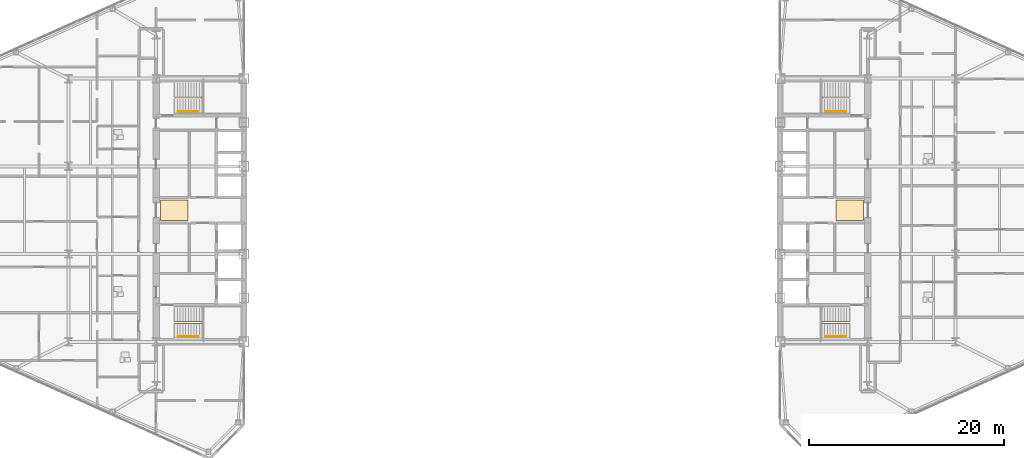
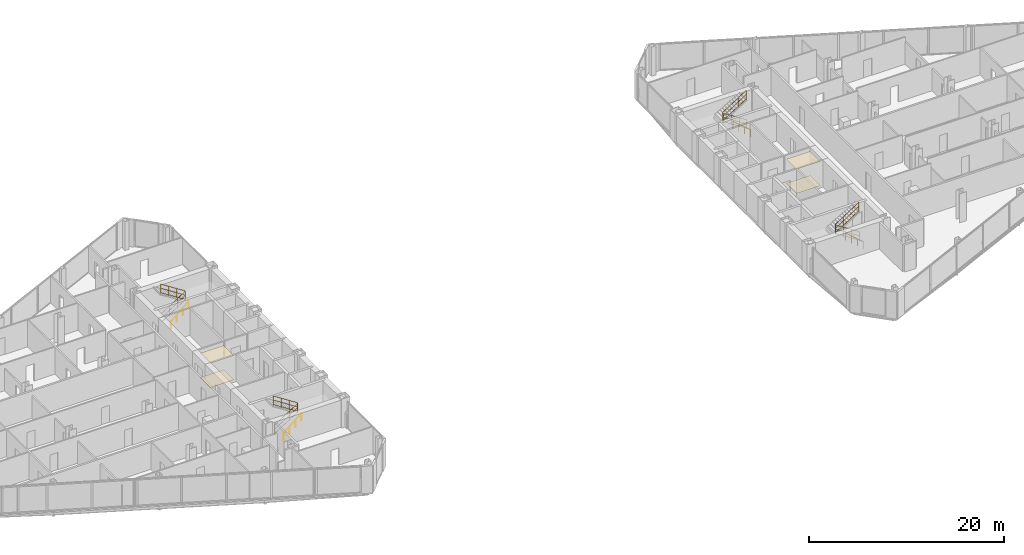
# One storey, part 26 of 27: 8 railings, 4 coverings.
"""IFC4 building model written with IfcOpenShell, lengths in metres."""

from ifc_helpers import new_model, si_unit, direction, frame, origin, origin_2d, place, context, subcontext, project, spatial, polyline, circle, outline, extrude, material, layer, layer_set, type_object, element, save


model = new_model("IFC4")

# Units and contexts
model_context = context("Model", 3, precision=1e-05, world=origin(), true_north=direction((0.0, 1.0)))
body_context = subcontext(model_context, "Body", "Model", "MODEL_VIEW")
ifc_project = project(units=[si_unit("LENGTHUNIT", "METRE"), si_unit("AREAUNIT", "SQUARE_METRE"), si_unit("VOLUMEUNIT", "CUBIC_METRE"), si_unit("PLANEANGLEUNIT", "RADIAN"), si_unit("MASSUNIT", "GRAM", prefix="KILO")], contexts=[model_context])

# Site, building, storey
site_placement = place(None, origin())
site = spatial("IfcSite", under=ifc_project, at=site_placement, CompositionType="ELEMENT")
building_placement = place(site_placement, origin())
building = spatial("IfcBuilding", under=site, at=building_placement, Name="Seokmaru Belvedere", CompositionType="ELEMENT")
storey_placement = place(building_placement, frame((0.0, 0.0, 106.800048828125)))
storey = spatial("IfcBuildingStorey", under=building, at=storey_placement, Name="L28", CompositionType="ELEMENT", Elevation=106.800048828125)

# Coverings
ifc_material_1 = material(Name="Engineered White Oak Timber", Category="wood")
ifc_layer_1 = layer(ifc_material_1, 0.02197265625)
ifc_layer_set_1 = layer_set([ifc_layer_1], Name="Engineered White Oak Timber")
covering_type_1 = type_object("IfcCoveringType", Name="Engineered Oak Residence Floor Finish 22", PredefinedType="FLOORING", material=ifc_layer_set_1)
covering_1_placement = place(storey_placement, origin())
element("IfcCovering", 1, at=covering_1_placement, inside=storey, type_object=covering_type_1, Name="L28 W Foyer Floor Finish", PredefinedType="FLOORING", context=body_context, shape_type="SweptSolid", body=[
    extrude(outline(polyline([(-36.050048828125, -1.050048828125), (-33.25, -1.050048828125), (-33.25, 1.050048828125), (-36.050048828125, 1.050048828125), (-36.050048828125, -1.050048828125)])), origin(), (0.0, 0.0, 1.0), 0.02197265625),
])
covering_2_placement = place(storey_placement, origin())
element("IfcCovering", 2, at=covering_2_placement, inside=storey, type_object=covering_type_1, Name="L28 E Foyer Floor Finish", PredefinedType="FLOORING", context=body_context, shape_type="SweptSolid", body=[
    extrude(outline(polyline([(33.25, -1.050048828125), (36.050048828125, -1.050048828125), (36.050048828125, 1.050048828125), (33.25, 1.050048828125), (33.25, -1.050048828125)])), origin(), (0.0, 0.0, 1.0), 0.02197265625),
])
ifc_material_2 = material(Name="Fire-Rated Gypsum Shaftwall")
ifc_layer_2 = layer(ifc_material_2, 0.02490234375)
ifc_layer_set_2 = layer_set([ifc_layer_2], Name="Fire-Rated Gypsum Shaftwall")
covering_type_2 = type_object("IfcCoveringType", Name="Perforated Acoustic Gypsum Suspended Ceiling 25", PredefinedType="CEILING", material=ifc_layer_set_2)
covering_3_placement = place(storey_placement, frame((0.0, 0.0, 3.030029296875)))
element("IfcCovering", 3, at=covering_3_placement, inside=storey, type_object=covering_type_2, Name="L28 W Lift Foyer Acoustic Ceiling", PredefinedType="CEILING", context=body_context, shape_type="SweptSolid", body=[
    extrude(outline(polyline([(-36.050048828125, -1.050048828125), (-33.25, -1.050048828125), (-33.25, 1.050048828125), (-36.050048828125, 1.050048828125), (-36.050048828125, -1.050048828125)])), origin(), (0.0, 0.0, 1.0), 0.02490234375),
])
covering_4_placement = place(storey_placement, frame((0.0, 0.0, 3.030029296875)))
element("IfcCovering", 4, at=covering_4_placement, inside=storey, type_object=covering_type_2, Name="L28 E Lift Foyer Acoustic Ceiling", PredefinedType="CEILING", context=body_context, shape_type="SweptSolid", body=[
    extrude(outline(polyline([(33.25, -1.050048828125), (36.050048828125, -1.050048828125), (36.050048828125, 1.050048828125), (33.25, 1.050048828125), (33.25, -1.050048828125)])), origin(), (0.0, 0.0, 1.0), 0.02490234375),
])

# Railings
ifc_material_3 = material(Name="Stainless Steel 316", Category="steel")
railing_type_1 = type_object("IfcRailingType", Name="Stainless Steel Wall and Flight Handrail 900", PredefinedType="HANDRAIL", material=ifc_material_3)
for number, where, name in (
    (5, (-34.25, -12.949951171875, 0.0), "L28 Stair ST-W1 Wall Handrail"),
    (6, (-34.25, 10.110107421875, 0.0), "L28 Stair ST-W2 Wall Handrail"),
):
    element("IfcRailing", number, at=place(storey_placement, frame(where)), inside=storey, type_object=railing_type_1, Name=name, PredefinedType="HANDRAIL", context=body_context, shape_type="SweptSolid", body=[
        extrude(circle(Radius=0.02392578125, at=origin_2d()), frame((0.0, 0.0, 0.8759765625), z_axis=(0.759262832861, 0.0, 0.650784104474), x_axis=(0.0, 1.0, 0.0)), (0.0, 0.0, 1.0), 2.765869140625),
        extrude(circle(Radius=0.02099609375, at=origin_2d()), origin(), (0.0, 0.0, 1.0), 0.851806640625),
        extrude(circle(Radius=0.02099609375, at=origin_2d()), frame((0.699951171875, 0.0, 0.60009765625)), (0.0, 0.0, 1.0), 0.851806640625),
        extrude(circle(Radius=0.02099609375, at=origin_2d()), frame((1.400146484375, 0.0, 1.199951171875)), (0.0, 0.0, 1.0), 0.851806640625),
        extrude(circle(Radius=0.02099609375, at=origin_2d()), frame((2.10009765625, 0.0, 1.800048828125)), (0.0, 0.0, 1.0), 0.851806640625),
    ])
for number, where, name in (
    (7, (34.25, -12.949951171875, 0.0), "L28 Stair ST-E1 Wall Handrail"),
    (8, (34.25, 10.110107421875, 0.0), "L28 Stair ST-E2 Wall Handrail"),
):
    element("IfcRailing", number, at=place(storey_placement, frame(where)), inside=storey, type_object=railing_type_1, Name=name, PredefinedType="HANDRAIL", context=body_context, shape_type="SweptSolid", body=[
        extrude(circle(Radius=0.02392578125, at=origin_2d()), frame((0.0, 0.0, 0.8759765625), z_axis=(-0.759262832861, 0.0, 0.650784104474), x_axis=(0.0, -1.0, 0.0)), (0.0, 0.0, 1.0), 2.765869140625),
        extrude(circle(Radius=0.02099609375, at=origin_2d()), origin(), (0.0, 0.0, 1.0), 0.851806640625),
        extrude(circle(Radius=0.02099609375, at=origin_2d()), frame((-0.699951171875, 0.0, 0.60009765625)), (0.0, 0.0, 1.0), 0.851806640625),
        extrude(circle(Radius=0.02099609375, at=origin_2d()), frame((-1.400146484375, 0.0, 1.199951171875)), (0.0, 0.0, 1.0), 0.851806640625),
        extrude(circle(Radius=0.02099609375, at=origin_2d()), frame((-2.10009765625, 0.0, 1.800048828125)), (0.0, 0.0, 1.0), 0.851806640625),
    ])
railing_type_2 = type_object("IfcRailingType", Name="Stair Well and Atrium Steel Guardrail 1200", PredefinedType="GUARDRAIL", material=ifc_material_3)
railing_1_placement = place(storey_placement, frame((-34.60009765625, -11.60009765625, 0.0)))
element("IfcRailing", 9, at=railing_1_placement, inside=storey, type_object=railing_type_2, Name="L28 Stair ST-W1 Inner Well Guardrail", PredefinedType="GUARDRAIL", context=body_context, shape_type="SweptSolid", body=[
    extrude(circle(Radius=0.02392578125, at=origin_2d()), frame((0.0, 0.0, 1.17578125), z_axis=(0.841176092368, 0.0, 0.540761298198), x_axis=(0.0, 1.0, 0.0)), (0.0, 0.0, 1.0), 3.32861328125),
    extrude(circle(Radius=0.02392578125, at=origin_2d()), frame((0.0, 0.0, 0.1201171875), z_axis=(0.841176092368, 0.0, 0.540761298198), x_axis=(0.0, 1.0, 0.0)), (0.0, 0.0, 1.0), 3.32861328125),
    extrude(circle(Radius=0.02392578125, at=origin_2d()), frame((0.0, 0.0, 0.659912109375), z_axis=(0.841176092368, 0.0, 0.540761298198), x_axis=(0.0, 1.0, 0.0)), (0.0, 0.0, 1.0), 3.32861328125),
    extrude(circle(Radius=0.02392578125, at=origin_2d()), frame((2.800048828125, 0.0, 2.97607421875), z_axis=(0.0, 1.0, 0.0), x_axis=(-1.0, 0.0, 0.0)), (0.0, 0.0, 1.0), 0.14013671875),
    extrude(circle(Radius=0.02392578125, at=origin_2d()), frame((2.800048828125, 0.0, 1.920166015625), z_axis=(0.0, 1.0, 0.0), x_axis=(-1.0, 0.0, 0.0)), (0.0, 0.0, 1.0), 0.14013671875),
    extrude(circle(Radius=0.02392578125, at=origin_2d()), frame((2.800048828125, 0.0, 2.4599609375), z_axis=(0.0, 1.0, 0.0), x_axis=(-1.0, 0.0, 0.0)), (0.0, 0.0, 1.0), 0.14013671875),
    extrude(circle(Radius=0.02392578125, at=origin_2d()), frame((2.800048828125, 0.14013671875, 2.97607421875), z_axis=(-0.841209454229, 0.0, 0.540709398952), x_axis=(0.0, -1.0, 0.0)), (0.0, 0.0, 1.0), 3.32861328125),
    extrude(circle(Radius=0.02392578125, at=origin_2d()), frame((2.800048828125, 0.14013671875, 1.920166015625), z_axis=(-0.841209454229, 0.0, 0.540709398952), x_axis=(0.0, -1.0, 0.0)), (0.0, 0.0, 1.0), 3.32861328125),
    extrude(circle(Radius=0.02392578125, at=origin_2d()), frame((2.800048828125, 0.14013671875, 2.4599609375), z_axis=(-0.841209454229, 0.0, 0.540709398952), x_axis=(0.0, -1.0, 0.0)), (0.0, 0.0, 1.0), 3.32861328125),
    extrude(circle(Radius=0.02099609375, at=origin_2d()), origin(), (0.0, 0.0, 1.0), 1.15185546875),
    extrude(circle(Radius=0.02099609375, at=origin_2d()), frame((0.933349609375, 0.0, 0.60009765625)), (0.0, 0.0, 1.0), 1.15185546875),
    extrude(circle(Radius=0.02099609375, at=origin_2d()), frame((1.86669921875, 0.0, 1.199951171875)), (0.0, 0.0, 1.0), 1.15185546875),
    extrude(circle(Radius=0.02099609375, at=origin_2d()), frame((2.800048828125, 0.0, 1.800048828125)), (0.0, 0.0, 1.0), 1.15185546875),
    extrude(circle(Radius=0.02099609375, at=origin_2d()), frame((2.800048828125, 0.14013671875, 1.800048828125)), (0.0, 0.0, 1.0), 1.15185546875),
    extrude(circle(Radius=0.02099609375, at=origin_2d()), frame((1.86669921875, 0.14013671875, 2.39990234375)), (0.0, 0.0, 1.0), 1.15185546875),
    extrude(circle(Radius=0.02099609375, at=origin_2d()), frame((0.933349609375, 0.14013671875, 3.0)), (0.0, 0.0, 1.0), 1.15185546875),
    extrude(circle(Radius=0.02099609375, at=origin_2d()), frame((0.0, 0.14013671875, 3.599853515625)), (0.0, 0.0, 1.0), 1.15185546875),
])
railing_2_placement = place(storey_placement, frame((-34.60009765625, 11.4599609375, 0.0)))
element("IfcRailing", 10, at=railing_2_placement, inside=storey, type_object=railing_type_2, Name="L28 Stair ST-W2 Inner Well Guardrail", PredefinedType="GUARDRAIL", context=body_context, shape_type="SweptSolid", body=[
    extrude(circle(Radius=0.02392578125, at=origin_2d()), frame((0.0, 0.0, 1.17578125), z_axis=(0.841176092368, 0.0, 0.540761298198), x_axis=(0.0, 1.0, 0.0)), (0.0, 0.0, 1.0), 3.32861328125),
    extrude(circle(Radius=0.02392578125, at=origin_2d()), frame((0.0, 0.0, 0.1201171875), z_axis=(0.841176092368, 0.0, 0.540761298198), x_axis=(0.0, 1.0, 0.0)), (0.0, 0.0, 1.0), 3.32861328125),
    extrude(circle(Radius=0.02392578125, at=origin_2d()), frame((0.0, 0.0, 0.659912109375), z_axis=(0.841176092368, 0.0, 0.540761298198), x_axis=(0.0, 1.0, 0.0)), (0.0, 0.0, 1.0), 3.32861328125),
    extrude(circle(Radius=0.02392578125, at=origin_2d()), frame((2.800048828125, 0.0, 2.97607421875), z_axis=(0.0, 1.0, 0.0), x_axis=(-1.0, 0.0, 0.0)), (0.0, 0.0, 1.0), 0.14013671875),
    extrude(circle(Radius=0.02392578125, at=origin_2d()), frame((2.800048828125, 0.0, 1.920166015625), z_axis=(0.0, 1.0, 0.0), x_axis=(-1.0, 0.0, 0.0)), (0.0, 0.0, 1.0), 0.14013671875),
    extrude(circle(Radius=0.02392578125, at=origin_2d()), frame((2.800048828125, 0.0, 2.4599609375), z_axis=(0.0, 1.0, 0.0), x_axis=(-1.0, 0.0, 0.0)), (0.0, 0.0, 1.0), 0.14013671875),
    extrude(circle(Radius=0.02392578125, at=origin_2d()), frame((2.800048828125, 0.14013671875, 2.97607421875), z_axis=(-0.841209454229, 0.0, 0.540709398952), x_axis=(0.0, -1.0, 0.0)), (0.0, 0.0, 1.0), 3.32861328125),
    extrude(circle(Radius=0.02392578125, at=origin_2d()), frame((2.800048828125, 0.14013671875, 1.920166015625), z_axis=(-0.841209454229, 0.0, 0.540709398952), x_axis=(0.0, -1.0, 0.0)), (0.0, 0.0, 1.0), 3.32861328125),
    extrude(circle(Radius=0.02392578125, at=origin_2d()), frame((2.800048828125, 0.14013671875, 2.4599609375), z_axis=(-0.841209454229, 0.0, 0.540709398952), x_axis=(0.0, -1.0, 0.0)), (0.0, 0.0, 1.0), 3.32861328125),
    extrude(circle(Radius=0.02099609375, at=origin_2d()), origin(), (0.0, 0.0, 1.0), 1.15185546875),
    extrude(circle(Radius=0.02099609375, at=origin_2d()), frame((0.933349609375, 0.0, 0.60009765625)), (0.0, 0.0, 1.0), 1.15185546875),
    extrude(circle(Radius=0.02099609375, at=origin_2d()), frame((1.86669921875, 0.0, 1.199951171875)), (0.0, 0.0, 1.0), 1.15185546875),
    extrude(circle(Radius=0.02099609375, at=origin_2d()), frame((2.800048828125, 0.0, 1.800048828125)), (0.0, 0.0, 1.0), 1.15185546875),
    extrude(circle(Radius=0.02099609375, at=origin_2d()), frame((2.800048828125, 0.14013671875, 1.800048828125)), (0.0, 0.0, 1.0), 1.15185546875),
    extrude(circle(Radius=0.02099609375, at=origin_2d()), frame((1.86669921875, 0.14013671875, 2.39990234375)), (0.0, 0.0, 1.0), 1.15185546875),
    extrude(circle(Radius=0.02099609375, at=origin_2d()), frame((0.933349609375, 0.14013671875, 3.0)), (0.0, 0.0, 1.0), 1.15185546875),
    extrude(circle(Radius=0.02099609375, at=origin_2d()), frame((0.0, 0.14013671875, 3.599853515625)), (0.0, 0.0, 1.0), 1.15185546875),
])
railing_3_placement = place(storey_placement, frame((34.60009765625, -11.60009765625, 0.0)))
element("IfcRailing", 11, at=railing_3_placement, inside=storey, type_object=railing_type_2, Name="L28 Stair ST-E1 Inner Well Guardrail", PredefinedType="GUARDRAIL", context=body_context, shape_type="SweptSolid", body=[
    extrude(circle(Radius=0.02392578125, at=origin_2d()), frame((0.0, 0.0, 1.17578125), z_axis=(-0.841176092368, 0.0, 0.540761298198), x_axis=(0.0, -1.0, 0.0)), (0.0, 0.0, 1.0), 3.32861328125),
    extrude(circle(Radius=0.02392578125, at=origin_2d()), frame((0.0, 0.0, 0.1201171875), z_axis=(-0.841176092368, 0.0, 0.540761298198), x_axis=(0.0, -1.0, 0.0)), (0.0, 0.0, 1.0), 3.32861328125),
    extrude(circle(Radius=0.02392578125, at=origin_2d()), frame((0.0, 0.0, 0.659912109375), z_axis=(-0.841176092368, 0.0, 0.540761298198), x_axis=(0.0, -1.0, 0.0)), (0.0, 0.0, 1.0), 3.32861328125),
    extrude(circle(Radius=0.02392578125, at=origin_2d()), frame((-2.800048828125, 0.0, 2.97607421875), z_axis=(0.0, 1.0, 0.0), x_axis=(-1.0, 0.0, 0.0)), (0.0, 0.0, 1.0), 0.14013671875),
    extrude(circle(Radius=0.02392578125, at=origin_2d()), frame((-2.800048828125, 0.0, 1.920166015625), z_axis=(0.0, 1.0, 0.0), x_axis=(-1.0, 0.0, 0.0)), (0.0, 0.0, 1.0), 0.14013671875),
    extrude(circle(Radius=0.02392578125, at=origin_2d()), frame((-2.800048828125, 0.0, 2.4599609375), z_axis=(0.0, 1.0, 0.0), x_axis=(-1.0, 0.0, 0.0)), (0.0, 0.0, 1.0), 0.14013671875),
    extrude(circle(Radius=0.02392578125, at=origin_2d()), frame((-2.800048828125, 0.14013671875, 2.97607421875), z_axis=(0.841209454229, 0.0, 0.540709398952), x_axis=(0.0, 1.0, 0.0)), (0.0, 0.0, 1.0), 3.32861328125),
    extrude(circle(Radius=0.02392578125, at=origin_2d()), frame((-2.800048828125, 0.14013671875, 1.920166015625), z_axis=(0.841209454229, 0.0, 0.540709398952), x_axis=(0.0, 1.0, 0.0)), (0.0, 0.0, 1.0), 3.32861328125),
    extrude(circle(Radius=0.02392578125, at=origin_2d()), frame((-2.800048828125, 0.14013671875, 2.4599609375), z_axis=(0.841209454229, 0.0, 0.540709398952), x_axis=(0.0, 1.0, 0.0)), (0.0, 0.0, 1.0), 3.32861328125),
    extrude(circle(Radius=0.02099609375, at=origin_2d()), origin(), (0.0, 0.0, 1.0), 1.15185546875),
    extrude(circle(Radius=0.02099609375, at=origin_2d()), frame((-0.933349609375, 0.0, 0.60009765625)), (0.0, 0.0, 1.0), 1.15185546875),
    extrude(circle(Radius=0.02099609375, at=origin_2d()), frame((-1.86669921875, 0.0, 1.199951171875)), (0.0, 0.0, 1.0), 1.15185546875),
    extrude(circle(Radius=0.02099609375, at=origin_2d()), frame((-2.800048828125, 0.0, 1.800048828125)), (0.0, 0.0, 1.0), 1.15185546875),
    extrude(circle(Radius=0.02099609375, at=origin_2d()), frame((-2.800048828125, 0.14013671875, 1.800048828125)), (0.0, 0.0, 1.0), 1.15185546875),
    extrude(circle(Radius=0.02099609375, at=origin_2d()), frame((-1.86669921875, 0.14013671875, 2.39990234375)), (0.0, 0.0, 1.0), 1.15185546875),
    extrude(circle(Radius=0.02099609375, at=origin_2d()), frame((-0.933349609375, 0.14013671875, 3.0)), (0.0, 0.0, 1.0), 1.15185546875),
    extrude(circle(Radius=0.02099609375, at=origin_2d()), frame((0.0, 0.14013671875, 3.599853515625)), (0.0, 0.0, 1.0), 1.15185546875),
])
railing_4_placement = place(storey_placement, frame((34.60009765625, 11.4599609375, 0.0)))
element("IfcRailing", 12, at=railing_4_placement, inside=storey, type_object=railing_type_2, Name="L28 Stair ST-E2 Inner Well Guardrail", PredefinedType="GUARDRAIL", context=body_context, shape_type="SweptSolid", body=[
    extrude(circle(Radius=0.02392578125, at=origin_2d()), frame((0.0, 0.0, 1.17578125), z_axis=(-0.841176092368, 0.0, 0.540761298198), x_axis=(0.0, -1.0, 0.0)), (0.0, 0.0, 1.0), 3.32861328125),
    extrude(circle(Radius=0.02392578125, at=origin_2d()), frame((0.0, 0.0, 0.1201171875), z_axis=(-0.841176092368, 0.0, 0.540761298198), x_axis=(0.0, -1.0, 0.0)), (0.0, 0.0, 1.0), 3.32861328125),
    extrude(circle(Radius=0.02392578125, at=origin_2d()), frame((0.0, 0.0, 0.659912109375), z_axis=(-0.841176092368, 0.0, 0.540761298198), x_axis=(0.0, -1.0, 0.0)), (0.0, 0.0, 1.0), 3.32861328125),
    extrude(circle(Radius=0.02392578125, at=origin_2d()), frame((-2.800048828125, 0.0, 2.97607421875), z_axis=(0.0, 1.0, 0.0), x_axis=(-1.0, 0.0, 0.0)), (0.0, 0.0, 1.0), 0.14013671875),
    extrude(circle(Radius=0.02392578125, at=origin_2d()), frame((-2.800048828125, 0.0, 1.920166015625), z_axis=(0.0, 1.0, 0.0), x_axis=(-1.0, 0.0, 0.0)), (0.0, 0.0, 1.0), 0.14013671875),
    extrude(circle(Radius=0.02392578125, at=origin_2d()), frame((-2.800048828125, 0.0, 2.4599609375), z_axis=(0.0, 1.0, 0.0), x_axis=(-1.0, 0.0, 0.0)), (0.0, 0.0, 1.0), 0.14013671875),
    extrude(circle(Radius=0.02392578125, at=origin_2d()), frame((-2.800048828125, 0.14013671875, 2.97607421875), z_axis=(0.841209454229, 0.0, 0.540709398952), x_axis=(0.0, 1.0, 0.0)), (0.0, 0.0, 1.0), 3.32861328125),
    extrude(circle(Radius=0.02392578125, at=origin_2d()), frame((-2.800048828125, 0.14013671875, 1.920166015625), z_axis=(0.841209454229, 0.0, 0.540709398952), x_axis=(0.0, 1.0, 0.0)), (0.0, 0.0, 1.0), 3.32861328125),
    extrude(circle(Radius=0.02392578125, at=origin_2d()), frame((-2.800048828125, 0.14013671875, 2.4599609375), z_axis=(0.841209454229, 0.0, 0.540709398952), x_axis=(0.0, 1.0, 0.0)), (0.0, 0.0, 1.0), 3.32861328125),
    extrude(circle(Radius=0.02099609375, at=origin_2d()), origin(), (0.0, 0.0, 1.0), 1.15185546875),
    extrude(circle(Radius=0.02099609375, at=origin_2d()), frame((-0.933349609375, 0.0, 0.60009765625)), (0.0, 0.0, 1.0), 1.15185546875),
    extrude(circle(Radius=0.02099609375, at=origin_2d()), frame((-1.86669921875, 0.0, 1.199951171875)), (0.0, 0.0, 1.0), 1.15185546875),
    extrude(circle(Radius=0.02099609375, at=origin_2d()), frame((-2.800048828125, 0.0, 1.800048828125)), (0.0, 0.0, 1.0), 1.15185546875),
    extrude(circle(Radius=0.02099609375, at=origin_2d()), frame((-2.800048828125, 0.14013671875, 1.800048828125)), (0.0, 0.0, 1.0), 1.15185546875),
    extrude(circle(Radius=0.02099609375, at=origin_2d()), frame((-1.86669921875, 0.14013671875, 2.39990234375)), (0.0, 0.0, 1.0), 1.15185546875),
    extrude(circle(Radius=0.02099609375, at=origin_2d()), frame((-0.933349609375, 0.14013671875, 3.0)), (0.0, 0.0, 1.0), 1.15185546875),
    extrude(circle(Radius=0.02099609375, at=origin_2d()), frame((0.0, 0.14013671875, 3.599853515625)), (0.0, 0.0, 1.0), 1.15185546875),
])

save(model, "model.ifc")
